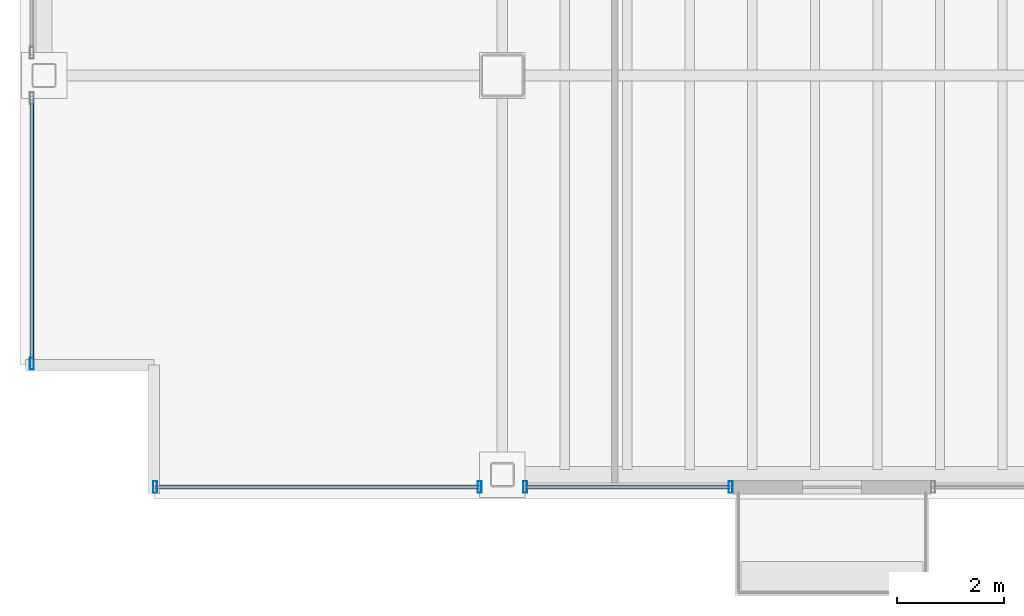
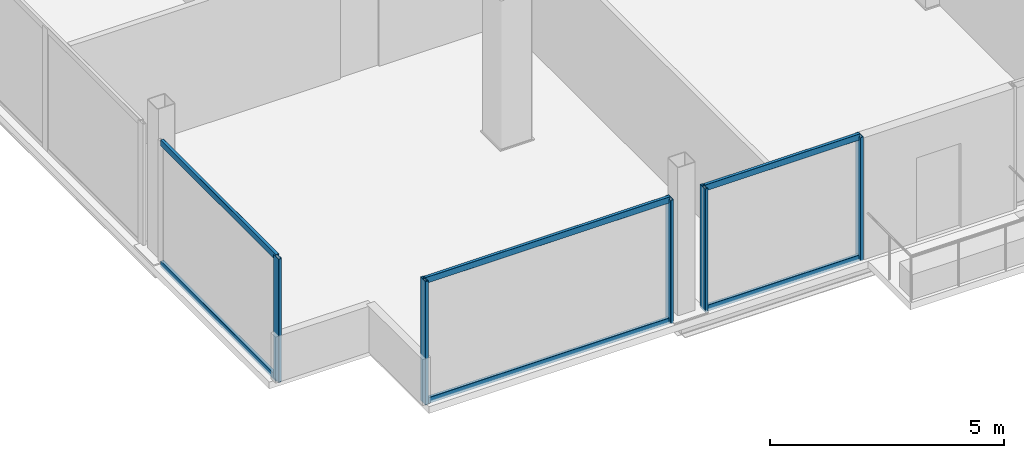
# One storey, part 2 of 16: 11 members, 3 elements without a shape of their own.
"""IFC4 building model written with IfcOpenShell, lengths in metres."""

from ifc_helpers import new_model, si_unit, direction, frame, origin, origin_2d, place, context, subcontext, project, spatial, hollow_rectangle, extrude, material, material_profile, profile_set, type_object, element, aggregate, save


model = new_model("IFC4")

# Units and contexts
model_context = context("Model", 3, precision=1e-05, world=origin(), true_north=direction((0.0, 1.0)))
body_context = subcontext(model_context, "Body", "Model", "MODEL_VIEW")
ifc_project = project(units=[si_unit("LENGTHUNIT", "METRE"), si_unit("AREAUNIT", "SQUARE_METRE"), si_unit("VOLUMEUNIT", "CUBIC_METRE"), si_unit("PLANEANGLEUNIT", "RADIAN"), si_unit("MASSUNIT", "GRAM", prefix="KILO")], contexts=[model_context])

# Site, building, storey
site_placement = place(None, origin())
site = spatial("IfcSite", under=ifc_project, at=site_placement, CompositionType="ELEMENT")
building_placement = place(site_placement, origin())
building = spatial("IfcBuilding", under=site, at=building_placement, Name="Noeulbin Bourse Tower", CompositionType="ELEMENT")
storey_placement = place(building_placement, frame((0.0, 0.0, 234.5)))
storey = spatial("IfcBuildingStorey", under=building, at=storey_placement, Name="L58", CompositionType="ELEMENT", Elevation=234.5)

# Curtain wall, members
ifc_material_1 = material(Name="High-Selectivity Low-Iron Glazing", Category="glass")
curtain_wall_type = type_object("IfcCurtainWallType", Name="CW-SYS-4", PredefinedType="NOTDEFINED", material=ifc_material_1)
curtain_wall_1_placement = place(storey_placement, origin())
curtain_wall_1 = element("IfcCurtainWall", 1, at=curtain_wall_1_placement, inside=storey, type_object=curtain_wall_type, Name="Unitised Curtain Wall CW-L58-S1-S1", PredefinedType="NOTDEFINED")
ifc_material_2 = material(Name="Anodised Aluminium 6063-T6", Category="aluminium")
ifc_material_profile_1 = material_profile(ifc_material_2, hollow_rectangle(XDim=0.074951171875, YDim=0.219970703125, WallThickness=0.0048828125, InnerFilletRadius=0.00244140625, OuterFilletRadius=0.0048828125, at=origin_2d()), Name="ALU-MULL-75x220x5", Category="LoadBearing")
ifc_profile_set_1 = profile_set([ifc_material_profile_1], Name="Anodised Aluminium 6063-T6")
member_type_1 = type_object("IfcMemberType", Name="CW-SYS-4-MUL", PredefinedType="MULLION", material=ifc_profile_set_1)
member_1_placement = place(storey_placement, frame((7.02001953125, 12.320068359375, -0.02001953125), z_axis=(0.0, 0.0, 1.0), x_axis=(1.0, 0.0, 0.0)))
member_1 = element("IfcMember", 2, at=member_1_placement, type_object=member_type_1, Name="Curtain Wall Mullion CW-L58-S1-S1-M00", PredefinedType="MULLION", context=body_context, shape_type="SweptSolid", body=[
    extrude(hollow_rectangle(XDim=0.074951171875, YDim=0.219970703125, WallThickness=0.0048828125, InnerFilletRadius=0.00244140625, OuterFilletRadius=0.0048828125, at=origin_2d()), origin(), (0.0, 0.0, 1.0), 3.219970703125),
])
member_2_placement = place(storey_placement, frame((13.074951171875, 12.320068359375, -0.02001953125), z_axis=(0.0, 0.0, 1.0), x_axis=(1.0, 0.0, 0.0)))
member_2 = element("IfcMember", 3, at=member_2_placement, type_object=member_type_1, Name="Curtain Wall Mullion CW-L58-S1-S1-M01", PredefinedType="MULLION", context=body_context, shape_type="SweptSolid", body=[
    extrude(hollow_rectangle(XDim=0.074951171875, YDim=0.219970703125, WallThickness=0.0048828125, InnerFilletRadius=0.00244140625, OuterFilletRadius=0.0048828125, at=origin_2d()), origin(), (0.0, 0.0, 1.0), 3.219970703125),
])

curtain_wall_2_placement = place(storey_placement, origin())
curtain_wall_2 = element("IfcCurtainWall", 4, at=curtain_wall_2_placement, inside=storey, type_object=curtain_wall_type, Name="Unitised Curtain Wall CW-L58-S1-S2", PredefinedType="NOTDEFINED")
member_3_placement = place(storey_placement, frame((13.925048828125, 12.320068359375, -0.02001953125), z_axis=(0.0, 0.0, 1.0), x_axis=(1.0, 0.0, 0.0)))
member_3 = element("IfcMember", 5, at=member_3_placement, type_object=member_type_1, Name="Curtain Wall Mullion CW-L58-S1-S2-M00", PredefinedType="MULLION", context=body_context, shape_type="SweptSolid", body=[
    extrude(hollow_rectangle(XDim=0.074951171875, YDim=0.219970703125, WallThickness=0.0048828125, InnerFilletRadius=0.00244140625, OuterFilletRadius=0.0048828125, at=origin_2d()), origin(), (0.0, 0.0, 1.0), 3.219970703125),
])
member_4_placement = place(storey_placement, frame((17.760009765625, 12.320068359375, -0.02001953125), z_axis=(0.0, 0.0, 1.0), x_axis=(1.0, 0.0, 0.0)))
member_4 = element("IfcMember", 6, at=member_4_placement, type_object=member_type_1, Name="Curtain Wall Mullion CW-L58-S1-S2-M01", PredefinedType="MULLION", context=body_context, shape_type="SweptSolid", body=[
    extrude(hollow_rectangle(XDim=0.074951171875, YDim=0.219970703125, WallThickness=0.0048828125, InnerFilletRadius=0.00244140625, OuterFilletRadius=0.0048828125, at=origin_2d()), origin(), (0.0, 0.0, 1.0), 3.219970703125),
])

# Curtain wall, member
curtain_wall_3_placement = place(storey_placement, origin())
curtain_wall_3 = element("IfcCurtainWall", 7, at=curtain_wall_3_placement, inside=storey, type_object=curtain_wall_type, Name="Unitised Curtain Wall CW-L58-W-S1", PredefinedType="NOTDEFINED")
member_5_placement = place(storey_placement, frame((4.719970703125, 14.6201171875, -0.02001953125), z_axis=(0.0, 0.0, 1.0), x_axis=(1.0, 0.0, 0.0)))
member_5 = element("IfcMember", 8, at=member_5_placement, type_object=member_type_1, Name="Curtain Wall Mullion CW-L58-W-S1-M00", PredefinedType="MULLION", context=body_context, shape_type="SweptSolid", body=[
    extrude(hollow_rectangle(XDim=0.074951171875, YDim=0.219970703125, WallThickness=0.0048828125, InnerFilletRadius=0.00244140625, OuterFilletRadius=0.0048828125, at=origin_2d()), origin(), (0.0, 0.0, 1.0), 3.219970703125),
])

# Member
ifc_material_profile_2 = material_profile(ifc_material_2, hollow_rectangle(XDim=0.074951171875, YDim=0.159912109375, WallThickness=0.0048828125, InnerFilletRadius=0.00244140625, OuterFilletRadius=0.0048828125, at=origin_2d()), Name="ALU-TRAN-75x160x5", Category="LoadBearing")
ifc_profile_set_2 = profile_set([ifc_material_profile_2], Name="Anodised Aluminium 6063-T6")
member_type_2 = type_object("IfcMemberType", Name="CW-SYS-4-TRN", PredefinedType="USERDEFINED", material=ifc_profile_set_2)
member_6_placement = place(storey_placement, frame((7.030029296875, 12.320068359375, 0.010009765625), z_axis=(1.0, 0.0, 0.0), x_axis=(0.0, 1.0, 0.0)))
member_6 = element("IfcMember", 9, at=member_6_placement, type_object=member_type_2, Name="Curtain Wall Transom CW-L58-S1-S1-T00", ObjectType="TRANSOM", PredefinedType="USERDEFINED", context=body_context, shape_type="SweptSolid", body=[
    extrude(hollow_rectangle(XDim=0.074951171875, YDim=0.159912109375, WallThickness=0.0048828125, InnerFilletRadius=0.00244140625, OuterFilletRadius=0.0048828125, at=origin_2d()), origin(), (0.0, 0.0, 1.0), 6.034912109375),
])

member_7_placement = place(storey_placement, frame((7.030029296875, 12.320068359375, 3.169921875), z_axis=(1.0, 0.0, 0.0), x_axis=(0.0, 1.0, 0.0)))
member_7 = element("IfcMember", 10, at=member_7_placement, type_object=member_type_2, Name="Curtain Wall Transom CW-L58-S1-S1-T01", ObjectType="TRANSOM", PredefinedType="USERDEFINED", context=body_context, shape_type="SweptSolid", body=[
    extrude(hollow_rectangle(XDim=0.074951171875, YDim=0.159912109375, WallThickness=0.0048828125, InnerFilletRadius=0.00244140625, OuterFilletRadius=0.0048828125, at=origin_2d()), origin(), (0.0, 0.0, 1.0), 6.034912109375),
])

aggregate(curtain_wall_1, [member_1, member_2, member_6, member_7])

member_8_placement = place(storey_placement, frame((13.93505859375, 12.320068359375, 0.010009765625), z_axis=(1.0, 0.0, 0.0), x_axis=(0.0, 1.0, 0.0)))
member_8 = element("IfcMember", 11, at=member_8_placement, type_object=member_type_2, Name="Curtain Wall Transom CW-L58-S1-S2-T00", ObjectType="TRANSOM", PredefinedType="USERDEFINED", context=body_context, shape_type="SweptSolid", body=[
    extrude(hollow_rectangle(XDim=0.074951171875, YDim=0.159912109375, WallThickness=0.0048828125, InnerFilletRadius=0.00244140625, OuterFilletRadius=0.0048828125, at=origin_2d()), origin(), (0.0, 0.0, 1.0), 3.81494140625),
])

member_9_placement = place(storey_placement, frame((13.93505859375, 12.320068359375, 3.169921875), z_axis=(1.0, 0.0, 0.0), x_axis=(0.0, 1.0, 0.0)))
member_9 = element("IfcMember", 12, at=member_9_placement, type_object=member_type_2, Name="Curtain Wall Transom CW-L58-S1-S2-T01", ObjectType="TRANSOM", PredefinedType="USERDEFINED", context=body_context, shape_type="SweptSolid", body=[
    extrude(hollow_rectangle(XDim=0.074951171875, YDim=0.159912109375, WallThickness=0.0048828125, InnerFilletRadius=0.00244140625, OuterFilletRadius=0.0048828125, at=origin_2d()), origin(), (0.0, 0.0, 1.0), 3.81494140625),
])

aggregate(curtain_wall_2, [member_3, member_4, member_8, member_9])

member_10_placement = place(storey_placement, frame((4.719970703125, 14.6298828125, 0.010009765625), z_axis=(0.0, 1.0, 0.0), x_axis=(-1.0, 0.0, 0.0)))
member_10 = element("IfcMember", 13, at=member_10_placement, type_object=member_type_2, Name="Curtain Wall Transom CW-L58-W-S1-T00", ObjectType="TRANSOM", PredefinedType="USERDEFINED", context=body_context, shape_type="SweptSolid", body=[
    extrude(hollow_rectangle(XDim=0.074951171875, YDim=0.159912109375, WallThickness=0.0048828125, InnerFilletRadius=0.00244140625, OuterFilletRadius=0.0048828125, at=origin_2d()), origin(), (0.0, 0.0, 1.0), 4.93505859375),
])

member_11_placement = place(storey_placement, frame((4.719970703125, 14.6298828125, 3.169921875), z_axis=(0.0, 1.0, 0.0), x_axis=(-1.0, 0.0, 0.0)))
member_11 = element("IfcMember", 14, at=member_11_placement, type_object=member_type_2, Name="Curtain Wall Transom CW-L58-W-S1-T01", ObjectType="TRANSOM", PredefinedType="USERDEFINED", context=body_context, shape_type="SweptSolid", body=[
    extrude(hollow_rectangle(XDim=0.074951171875, YDim=0.159912109375, WallThickness=0.0048828125, InnerFilletRadius=0.00244140625, OuterFilletRadius=0.0048828125, at=origin_2d()), origin(), (0.0, 0.0, 1.0), 4.93505859375),
])

aggregate(curtain_wall_3, [member_5, member_10, member_11])

save(model, "model.ifc")
